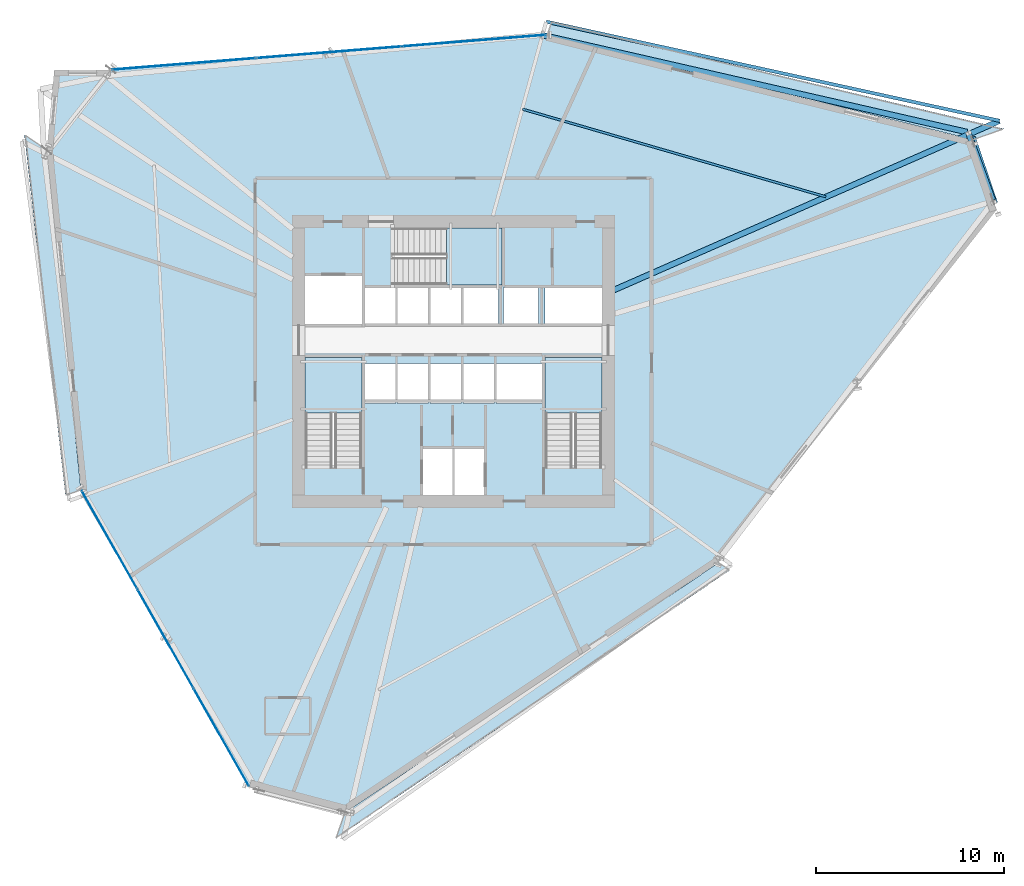
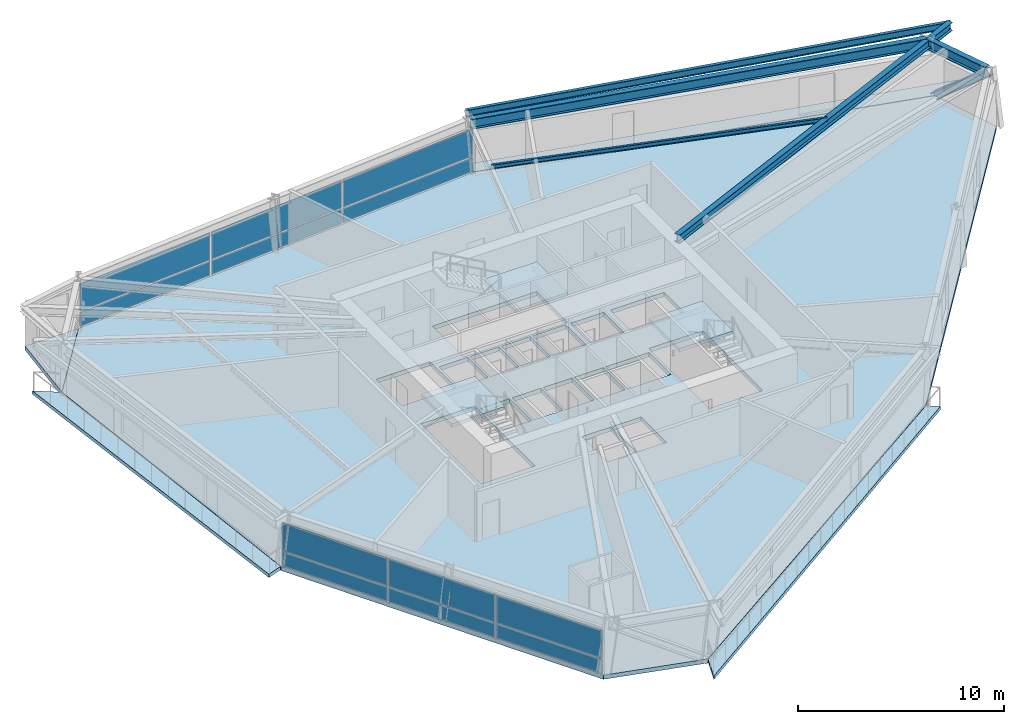
# One storey, part 9 of 18: 12 plates, 8 slabs, 5 beams, 1 member, 5 elements without a shape of their own.
"""IFC4 building model written with IfcOpenShell, lengths in metres."""

from ifc_helpers import new_model, si_unit, direction, frame, origin, origin_2d, place, context, subcontext, project, spatial, polyline, rectangle, i_section, outline, extrude, source, transform, mapped, material, layer, layer_set, material_profile, profile_set, type_object, element, aggregate, save


model = new_model("IFC4")

# Units and contexts
model_context = context("Model", 3, precision=1e-05, world=origin(), true_north=direction((0.0, 1.0)))
body_context = subcontext(model_context, "Body", "Model", "MODEL_VIEW")
ifc_project = project(units=[si_unit("LENGTHUNIT", "METRE"), si_unit("AREAUNIT", "SQUARE_METRE"), si_unit("VOLUMEUNIT", "CUBIC_METRE"), si_unit("PLANEANGLEUNIT", "RADIAN"), si_unit("MASSUNIT", "GRAM", prefix="KILO")], contexts=[model_context])

# Site, building, storey
site_placement = place(None, origin())
site = spatial("IfcSite", under=ifc_project, at=site_placement, CompositionType="ELEMENT")
building_placement = place(site_placement, origin())
building = spatial("IfcBuilding", under=site, at=building_placement, Name="Olszyna Solenne Hotel", CompositionType="ELEMENT")
storey_placement = place(building_placement, frame((0.0, 0.0, 112.800048828125)))
storey = spatial("IfcBuildingStorey", under=building, at=storey_placement, Name="L29", CompositionType="ELEMENT", Elevation=112.800048828125)

# Beams
ifc_material_1 = material(Name="Steel S355J2", Category="steel")
ifc_material_profile_1 = material_profile(ifc_material_1, i_section(OverallWidth=0.300048828125, OverallDepth=0.60009765625, WebThickness=0.015380859375, FlangeThickness=0.030029296875, at=origin_2d()), Name="HEB 600", Category="load-bearing")
ifc_profile_set_1 = profile_set([ifc_material_profile_1], Name="Steel S355J2")
beam_type_1 = type_object("IfcBeamType", Name="BM-S2", PredefinedType="BEAM", material=ifc_profile_set_1)
shared_shape_1 = source(origin(), body_context, "Body", "SweptSolid", [
    extrude(i_section(OverallWidth=0.300048828125, OverallDepth=0.60009765625, WebThickness=0.015380859375, FlangeThickness=0.030029296875, at=origin_2d()), origin(), (0.0, 0.0, 1.0), 3.78369140625),
])
beam_1_placement = place(storey_placement, frame((66.7216796875, 35.185791015625, 3.0), z_axis=(-0.34120420593, 0.93998919667, 0.0), x_axis=(-0.93998919667, -0.34120420593, 0.0)))
element("IfcBeam", 1, at=beam_1_placement, inside=storey, type_object=beam_type_1, Name="Perimeter spandrel beam BM-S2 B-L29-0868", PredefinedType="BEAM", context=body_context, shape_type="MappedRepresentation", body=[
    mapped(shared_shape_1, transform((0.0, 0.0, 0.0), x_axis=(1.0, 0.0, 0.0), y_axis=(0.0, 1.0, 0.0), z_axis=(0.0, 0.0, 1.0), scale=1.0)),
])
shared_shape_2 = source(origin(), body_context, "Body", "SweptSolid", [
    extrude(i_section(OverallWidth=0.300048828125, OverallDepth=0.60009765625, WebThickness=0.015380859375, FlangeThickness=0.030029296875, at=origin_2d()), origin(), (0.0, 0.0, 1.0), 23.171142578125),
])
beam_2_placement = place(storey_placement, frame((65.351806640625, 38.812255859375, 3.0), z_axis=(-0.974906613117, 0.222614230678, 0.0), x_axis=(-0.222614230678, -0.974906613117, 0.0)))
element("IfcBeam", 2, at=beam_2_placement, inside=storey, type_object=beam_type_1, Name="Perimeter spandrel beam BM-S2 B-L29-0869", PredefinedType="BEAM", context=body_context, shape_type="MappedRepresentation", body=[
    mapped(shared_shape_2, transform((0.0, 0.0, 0.0), x_axis=(1.0, 0.0, 0.0), y_axis=(0.0, 1.0, 0.0), z_axis=(0.0, 0.0, 1.0), scale=1.0)),
])
ifc_material_profile_2 = material_profile(ifc_material_1, i_section(OverallWidth=0.300048828125, OverallDepth=0.489990234375, WebThickness=0.011962890625, FlangeThickness=0.02294921875, at=origin_2d()), Name="HEA 500", Category="load-bearing")
ifc_profile_set_2 = profile_set([ifc_material_profile_2], Name="Steel S355J2")
beam_type_2 = type_object("IfcBeamType", Name="BM-G1", PredefinedType="BEAM", material=ifc_profile_set_2)
shared_shape_3 = source(origin(), body_context, "Body", "SweptSolid", [
    extrude(i_section(OverallWidth=0.300048828125, OverallDepth=0.489990234375, WebThickness=0.011962890625, FlangeThickness=0.02294921875, at=origin_2d()), origin(), (0.0, 0.0, 1.0), 22.396484375),
])
beam_3_placement = place(storey_placement, frame((67.06298828125, 39.406494140625, 3.054931640625), z_axis=(-0.915715455752, -0.401827331198, 0.0), x_axis=(0.401827331198, -0.915715455752, 0.0)))
element("IfcBeam", 3, at=beam_3_placement, inside=storey, type_object=beam_type_2, Name="Radial floor girder BM-G1 B-L29-0881", PredefinedType="BEAM", context=body_context, shape_type="MappedRepresentation", body=[
    mapped(shared_shape_3, transform((0.0, 0.0, 0.0), x_axis=(1.0, 0.0, 0.0), y_axis=(0.0, 1.0, 0.0), z_axis=(0.0, 0.0, 1.0), scale=1.0)),
])
ifc_material_profile_3 = material_profile(ifc_material_1, i_section(OverallWidth=0.1201171875, OverallDepth=0.239990234375, WebThickness=0.006103515625, FlangeThickness=0.009765625, at=origin_2d()), Name="IPE 240", Category="load-bearing")
ifc_profile_set_3 = profile_set([ifc_material_profile_3], Name="Steel S355J2")
beam_type_3 = type_object("IfcBeamType", Name="JS-03", PredefinedType="JOIST", material=ifc_profile_set_3)
shared_shape_4 = source(origin(), body_context, "Body", "SweptSolid", [
    extrude(i_section(OverallWidth=0.1201171875, OverallDepth=0.239990234375, WebThickness=0.006103515625, FlangeThickness=0.009765625, at=origin_2d()), origin(), (0.0, 0.0, 1.0), 16.80859375),
])
beam_4_placement = place(storey_placement, frame((57.824951171875, 35.36669921875, 3.179931640625), z_axis=(-0.960672000765, 0.277685626106, 0.0), x_axis=(-0.277685626106, -0.960672000765, 0.0)))
element("IfcBeam", 4, at=beam_4_placement, inside=storey, type_object=beam_type_3, Name="Secondary composite floor joist JS-03 B-L29-0892", PredefinedType="JOIST", context=body_context, shape_type="MappedRepresentation", body=[
    mapped(shared_shape_4, transform((0.0, 0.0, 0.0), x_axis=(1.0, 0.0, 0.0), y_axis=(0.0, 1.0, 0.0), z_axis=(0.0, 0.0, 1.0), scale=1.0)),
])
ifc_material_profile_4 = material_profile(ifc_material_1, i_section(OverallWidth=0.179931640625, OverallDepth=0.39990234375, WebThickness=0.008544921875, FlangeThickness=0.013427734375, at=origin_2d()), Name="IPE 400", Category="load-bearing")
ifc_profile_set_4 = profile_set([ifc_material_profile_4], Name="Steel S355J2")
beam_type_4 = type_object("IfcBeamType", Name="BM-F5", PredefinedType="BEAM", material=ifc_profile_set_4)
shared_shape_5 = source(origin(), body_context, "Body", "SweptSolid", [
    extrude(i_section(OverallWidth=0.179931640625, OverallDepth=0.39990234375, WebThickness=0.008544921875, FlangeThickness=0.013427734375, at=origin_2d()), origin(), (0.0, 0.0, 1.0), 24.716552734375),
])
beam_5_placement = place(storey_placement, frame((67.081298828125, 39.41455078125, 3.099853515625), z_axis=(-0.976924819897, 0.213583464411, 0.0), x_axis=(-0.213583464411, -0.976924819897, 0.0)))
element("IfcBeam", 5, at=beam_5_placement, inside=storey, type_object=beam_type_4, Name="Loggia outer edge beam BM-F5 B-L29-0895", PredefinedType="BEAM", context=body_context, shape_type="MappedRepresentation", body=[
    mapped(shared_shape_5, transform((0.0, 0.0, 0.0), x_axis=(1.0, 0.0, 0.0), y_axis=(0.0, 1.0, 0.0), z_axis=(0.0, 0.0, 1.0), scale=1.0)),
])

# Member
ifc_material_2 = material(Name="Steel S460M", Category="steel")
ifc_material_profile_5 = material_profile(ifc_material_2, i_section(OverallWidth=0.406005859375, OverallDepth=0.416015625, WebThickness=0.026611328125, FlangeThickness=0.04150390625, at=origin_2d()), Name="HD 400x382", Category="load-bearing")
ifc_profile_set_5 = profile_set([ifc_material_profile_5], Name="Steel S460M")
member_type = type_object("IfcMemberType", Name="BR-T2", PredefinedType="BRACE", material=ifc_profile_set_5)
shared_shape_6 = source(origin(), body_context, "Body", "SweptSolid", [
    extrude(i_section(OverallWidth=0.406005859375, OverallDepth=0.416015625, WebThickness=0.026611328125, FlangeThickness=0.04150390625, at=origin_2d()), origin(), (0.0, 0.0, 1.0), 4.548095703125),
])
member_placement = place(storey_placement, frame((65.6337890625, 38.39990234375, 0.010009765625), z_axis=(0.243700378945, -0.719077153379, 0.650798104477), x_axis=(0.947087737347, 0.320974793039, 0.0)))
element("IfcMember", 6, at=member_placement, inside=storey, type_object=member_type, Name="Perimeter braced-tube diagonal BR-T2 BR-L29-1", PredefinedType="BRACE", context=body_context, shape_type="MappedRepresentation", body=[
    mapped(shared_shape_6, transform((0.0, 0.0, 0.0), x_axis=(1.0, 0.0, 0.0), y_axis=(0.0, 1.0, 0.0), z_axis=(0.0, 0.0, 1.0), scale=1.0)),
])

# Stair, slab
ifc_material_3 = material(Name="Concrete C40/50", Category="concrete")
stair_type = type_object("IfcStairType", Name="STR-C1", PredefinedType="TWO_QUARTER_WINDING_STAIR", material=ifc_material_3)
stair_1_placement = place(storey_placement, origin())
stair_1 = element("IfcStair", 7, at=stair_1_placement, inside=storey, type_object=stair_type, Name="L29 ST1", PredefinedType="TWO_QUARTER_WINDING_STAIR")
ifc_layer_1 = layer(ifc_material_3, 0.18994140625, Name="Concrete C40/50")
ifc_layer_set_1 = layer_set([ifc_layer_1], Name="Concrete C40/50")
slab_type_1 = type_object("IfcSlabType", Name="SL-LN190", PredefinedType="LANDING", material=ifc_layer_set_1)
slab_1_placement = place(storey_placement, frame((0.0, 0.0, 1.574951171875)))
slab_1 = element("IfcSlab", 8, at=slab_1_placement, type_object=slab_type_1, Name="ST1 landing 1", PredefinedType="LANDING", context=body_context, shape_type="SweptSolid", body=[
    extrude(outline(polyline([(33.1201171875, 23.85009765625), (33.1201171875, 26.800048828125), (30.10009765625, 26.800048828125), (30.10009765625, 23.85009765625), (33.1201171875, 23.85009765625)])), origin(), (0.0, 0.0, 1.0), 0.199951171875),
])
aggregate(stair_1, [slab_1])

stair_2_placement = place(storey_placement, origin())
stair_2 = element("IfcStair", 9, at=stair_2_placement, inside=storey, type_object=stair_type, Name="L29 ST2", PredefinedType="TWO_QUARTER_WINDING_STAIR")
slab_2_placement = place(storey_placement, frame((0.0, 0.0, 1.574951171875)))
slab_2 = element("IfcSlab", 10, at=slab_2_placement, type_object=slab_type_1, Name="ST2 landing 1", PredefinedType="LANDING", context=body_context, shape_type="SweptSolid", body=[
    extrude(outline(polyline([(45.89990234375, 23.85009765625), (45.89990234375, 26.800048828125), (42.8798828125, 26.800048828125), (42.8798828125, 23.85009765625), (45.89990234375, 23.85009765625)])), origin(), (0.0, 0.0, 1.0), 0.199951171875),
])
aggregate(stair_2, [slab_2])

stair_3_placement = place(storey_placement, origin())
stair_3 = element("IfcStair", 11, at=stair_3_placement, inside=storey, type_object=stair_type, Name="L29 ST3", PredefinedType="TWO_QUARTER_WINDING_STAIR")
slab_3_placement = place(storey_placement, frame((0.0, 0.0, 1.574951171875)))
slab_3 = element("IfcSlab", 12, at=slab_3_placement, type_object=slab_type_1, Name="ST3 landing 1", PredefinedType="LANDING", context=body_context, shape_type="SweptSolid", body=[
    extrude(outline(polyline([(37.6298828125, 30.679931640625), (40.580078125, 30.679931640625), (40.580078125, 33.699951171875), (37.6298828125, 33.699951171875), (37.6298828125, 30.679931640625)])), origin(), (0.0, 0.0, 1.0), 0.199951171875),
])
aggregate(stair_3, [slab_3])

# Slabs
ifc_material_4 = material(Name="Precast concrete C45/55", Category="concrete")
ifc_layer_2 = layer(ifc_material_4, 0.199951171875, Name="Precast concrete C45/55")
ifc_layer_set_2 = layer_set([ifc_layer_2], Name="Precast concrete C45/55")
slab_type_2 = type_object("IfcSlabType", Name="SL-LOG200", PredefinedType="FLOOR", material=ifc_layer_set_2)
slab_4_placement = place(storey_placement, frame((0.0, 0.0, -0.199951171875)))
element("IfcSlab", 13, at=slab_4_placement, inside=storey, type_object=slab_type_2, Name="Exterior loggia balcony slab SL-L29-LG1", PredefinedType="FLOOR", context=body_context, shape_type="SweptSolid", body=[
    extrude(outline(polyline([(42.997314453125, 44.007080078125), (65.637451171875, 38.414306640625), (65.638916015625, 38.413818359375), (65.64013671875, 38.413330078125), (65.6416015625, 38.41259765625), (65.642822265625, 38.411865234375), (65.643798828125, 38.410888671875), (65.64501953125, 38.409912109375), (65.64599609375, 38.40869140625), (65.646728515625, 38.407470703125), (65.6474609375, 38.406005859375), (65.64794921875, 38.40478515625), (67.314453125, 38.989013671875), (43.234619140625, 44.698974609375), (42.997314453125, 44.007080078125)])), origin(), (0.0, 0.0, 1.0), 0.199951171875),
])
slab_5_placement = place(storey_placement, frame((0.0, 0.0, -0.199951171875)))
element("IfcSlab", 14, at=slab_5_placement, inside=storey, type_object=slab_type_2, Name="Exterior loggia balcony slab SL-L29-LG2", PredefinedType="FLOOR", context=body_context, shape_type="SweptSolid", body=[
    extrude(outline(polyline([(18.16064453125, 19.759521484375), (18.160400390625, 19.760009765625), (18.159912109375, 19.761474609375), (18.159912109375, 19.762939453125), (16.3291015625, 37.85205078125), (16.3291015625, 37.853515625), (16.3291015625, 37.85498046875), (16.329833984375, 37.86328125), (15.148193359375, 38.676513671875), (17.33447265625, 19.469970703125), (18.16064453125, 19.759521484375)])), origin(), (0.0, 0.0, 1.0), 0.199951171875),
])
slab_6_placement = place(storey_placement, frame((0.0, 0.0, -0.199951171875)))
element("IfcSlab", 15, at=slab_6_placement, inside=storey, type_object=slab_type_2, Name="Exterior loggia balcony slab SL-L29-LG3", PredefinedType="FLOOR", context=body_context, shape_type="SweptSolid", body=[
    extrude(outline(polyline([(52.123046875, 15.88134765625), (52.122314453125, 15.880615234375), (52.121337890625, 15.87939453125), (52.1201171875, 15.87841796875), (52.118896484375, 15.87744140625), (32.230712890625, 2.587158203125), (32.2294921875, 2.58642578125), (32.228515625, 2.5859375), (32.22705078125, 2.58544921875), (32.2255859375, 2.5849609375), (32.224365234375, 2.584716796875), (32.222900390625, 2.584716796875), (32.221435546875, 2.584716796875), (32.219970703125, 2.5849609375), (32.21875, 2.585205078125), (32.217529296875, 2.58544921875), (31.73779296875, 1.187255859375), (52.70849609375, 15.478271484375), (52.123046875, 15.88134765625)])), origin(), (0.0, 0.0, 1.0), 0.199951171875),
])
ifc_material_5 = material(Name="Concrete C50/60", Category="concrete")
ifc_layer_3 = layer(ifc_material_5, 0.25, Name="Concrete C50/60")
ifc_layer_set_3 = layer_set([ifc_layer_3], Name="Concrete C50/60")
slab_type_3 = type_object("IfcSlabType", Name="SL-TW250", PredefinedType="FLOOR", material=ifc_layer_set_3)
slab_7_placement = place(storey_placement, frame((0.0, 0.0, -0.25)))
element("IfcSlab", 16, at=slab_7_placement, inside=storey, type_object=slab_type_3, Name="Floor slab SL-TW250 SL-L29-01", PredefinedType="FLOOR", context=body_context, shape_type="SweptSolid", body=[
    extrude(outline(polyline([(66.92041015625, 34.673583984375), (65.6337890625, 38.39990234375), (42.992431640625, 43.992919921875), (19.744873046875, 42.12939453125), (16.343994140625, 37.853515625), (18.1748046875, 19.764404296875), (27.13427734375, 3.944091796875), (32.222412109375, 2.599609375), (52.110595703125, 15.889892578125), (66.92041015625, 34.673583984375)]), holes=[polyline([(30.10009765625, 20.949951171875), (33.1201171875, 20.949951171875), (33.1201171875, 26.800048828125), (30.10009765625, 26.800048828125), (30.10009765625, 20.949951171875)]), polyline([(42.8798828125, 20.949951171875), (45.89990234375, 20.949951171875), (45.89990234375, 26.800048828125), (42.8798828125, 26.800048828125), (42.8798828125, 20.949951171875)]), polyline([(34.72998046875, 30.679931640625), (40.580078125, 30.679931640625), (40.580078125, 33.699951171875), (34.72998046875, 33.699951171875), (34.72998046875, 30.679931640625)]), polyline([(36.340087890625, 19.5), (37.9599609375, 19.5), (37.9599609375, 21.9599609375), (36.340087890625, 21.9599609375), (36.340087890625, 19.5)]), polyline([(38.0400390625, 19.5), (39.659912109375, 19.5), (39.659912109375, 21.9599609375), (38.0400390625, 21.9599609375), (38.0400390625, 19.5)]), polyline([(30.10009765625, 28.60009765625), (33.1201171875, 28.60009765625), (33.1201171875, 31.159912109375), (30.10009765625, 31.159912109375), (30.10009765625, 28.60009765625)]), polyline([(33.280029296875, 24.360107421875), (34.89990234375, 24.360107421875), (34.89990234375, 26.5), (33.280029296875, 26.5), (33.280029296875, 24.360107421875)]), polyline([(35.030029296875, 24.360107421875), (36.64990234375, 24.360107421875), (36.64990234375, 26.5), (35.030029296875, 26.5), (35.030029296875, 24.360107421875)]), polyline([(36.780029296875, 24.360107421875), (38.39990234375, 24.360107421875), (38.39990234375, 26.5), (36.780029296875, 26.5), (36.780029296875, 24.360107421875)]), polyline([(38.530029296875, 24.360107421875), (40.14990234375, 24.360107421875), (40.14990234375, 26.5), (38.530029296875, 26.5), (38.530029296875, 24.360107421875)]), polyline([(40.280029296875, 24.360107421875), (42.719970703125, 24.360107421875), (42.719970703125, 26.5), (40.280029296875, 26.5), (40.280029296875, 24.360107421875)]), polyline([(33.280029296875, 28.60009765625), (34.89990234375, 28.60009765625), (34.89990234375, 30.550048828125), (33.280029296875, 30.550048828125), (33.280029296875, 28.60009765625)]), polyline([(35.030029296875, 28.60009765625), (36.64990234375, 28.60009765625), (36.64990234375, 30.550048828125), (35.030029296875, 30.550048828125), (35.030029296875, 28.60009765625)]), polyline([(36.780029296875, 28.60009765625), (38.39990234375, 28.60009765625), (38.39990234375, 30.550048828125), (36.780029296875, 30.550048828125), (36.780029296875, 28.60009765625)]), polyline([(38.530029296875, 28.60009765625), (40.389892578125, 28.60009765625), (40.389892578125, 30.550048828125), (38.530029296875, 30.550048828125), (38.530029296875, 28.60009765625)]), polyline([(40.659912109375, 28.60009765625), (42.52001953125, 28.60009765625), (42.52001953125, 30.550048828125), (40.659912109375, 30.550048828125), (40.659912109375, 28.60009765625)]), polyline([(42.8798828125, 28.60009765625), (45.89990234375, 28.60009765625), (45.89990234375, 30.550048828125), (42.8798828125, 30.550048828125), (42.8798828125, 28.60009765625)])]), origin(), (0.0, 0.0, 1.0), 0.25),
])
slab_8_placement = place(storey_placement, frame((0.0, 0.0, -0.25)))
element("IfcSlab", 17, at=slab_8_placement, inside=storey, type_object=slab_type_3, Name="Faceted glass-prism floor slab SL-L29-PR", PredefinedType="FLOOR", context=body_context, shape_type="SweptSolid", body=[
    extrude(outline(polyline([(16.345703125, 37.87158203125), (19.732177734375, 42.12939453125), (16.744384765625, 42.132080078125), (16.345703125, 37.87158203125)])), origin(), (0.0, 0.0, 1.0), 0.25),
])

# Curtain wall, plates
ifc_material_6 = material(Name="Anodised bronze aluminium", Category="aluminium")
curtain_wall_type = type_object("IfcCurtainWallType", Name="CW-SYS-3", PredefinedType="NOTDEFINED", material=ifc_material_6)
curtain_wall_1_placement = place(storey_placement, origin())
curtain_wall_1 = element("IfcCurtainWall", 18, at=curtain_wall_1_placement, inside=storey, type_object=curtain_wall_type, Name="Unitised curtain wall CW-SYS-3 CW-L29-01", PredefinedType="NOTDEFINED")
ifc_material_7 = material(Name="Terracotta cladding", Category="masonry")
plate_type_1 = type_object("IfcPlateType", Name="PN-SP1", PredefinedType="CURTAIN_PANEL", material=ifc_material_7)
shared_shape_7 = source(origin(), body_context, "Body", "SweptSolid", [
    extrude(rectangle(XDim=5.947998046875, YDim=0.035888671875, at=origin_2d()), origin(), (0.0, 0.0, 1.0), 0.83740234375),
])
plate_1_placement = place(storey_placement, frame((19.67724609375, 17.111328125, 0.074951171875), z_axis=(0.0, 0.0, 1.0), x_axis=(0.492789821295, -0.870148373571, 0.0)))
plate_1 = element("IfcPlate", 19, at=plate_1_placement, type_object=plate_type_1, Name="Curtain-wall panel PN-SP1 CP-L29-01-01", PredefinedType="CURTAIN_PANEL", context=body_context, shape_type="MappedRepresentation", body=[
    mapped(shared_shape_7, transform((0.0, 0.0, 0.0), x_axis=(1.0, 0.0, 0.0), y_axis=(0.0, 1.0, 0.0), z_axis=(0.0, 0.0, 1.0), scale=1.0)),
])
plate_2_placement = place(storey_placement, frame((25.6318359375, 6.59716796875, 0.074951171875), z_axis=(0.0, 0.0, 1.0), x_axis=(0.492789821295, -0.870148373571, 0.0)))
plate_2 = element("IfcPlate", 20, at=plate_2_placement, type_object=plate_type_1, Name="Curtain-wall panel PN-SP1 CP-L29-01-05", PredefinedType="CURTAIN_PANEL", context=body_context, shape_type="MappedRepresentation", body=[
    mapped(shared_shape_7, transform((0.0, 0.0, 0.0), x_axis=(1.0, 0.0, 0.0), y_axis=(0.0, 1.0, 0.0), z_axis=(0.0, 0.0, 1.0), scale=1.0)),
])
ifc_material_8 = material(Name="Low-E triple glazing", Category="glass")
plate_type_2 = type_object("IfcPlateType", Name="PN-GL1", PredefinedType="CURTAIN_PANEL", material=ifc_material_8)
shared_shape_8 = source(origin(), body_context, "Body", "SweptSolid", [
    extrude(rectangle(XDim=5.947998046875, YDim=0.035888671875, at=origin_2d()), origin(), (0.0, 0.0, 1.0), 1.62939453125),
])
plate_3_placement = place(storey_placement, frame((19.67724609375, 17.111328125, 0.987548828125), z_axis=(0.0, 0.0, 1.0), x_axis=(0.492789821295, -0.870148373571, 0.0)))
plate_3 = element("IfcPlate", 21, at=plate_3_placement, type_object=plate_type_2, Name="Curtain-wall panel PN-GL1 CP-L29-01-02", PredefinedType="CURTAIN_PANEL", context=body_context, shape_type="MappedRepresentation", body=[
    mapped(shared_shape_8, transform((0.0, 0.0, 0.0), x_axis=(1.0, 0.0, 0.0), y_axis=(0.0, 1.0, 0.0), z_axis=(0.0, 0.0, 1.0), scale=1.0)),
])
plate_4_placement = place(storey_placement, frame((25.6318359375, 6.59716796875, 0.987548828125), z_axis=(0.0, 0.0, 1.0), x_axis=(0.492789821295, -0.870148373571, 0.0)))
plate_4 = element("IfcPlate", 22, at=plate_4_placement, type_object=plate_type_2, Name="Curtain-wall panel PN-GL1 CP-L29-01-06", PredefinedType="CURTAIN_PANEL", context=body_context, shape_type="MappedRepresentation", body=[
    mapped(shared_shape_8, transform((0.0, 0.0, 0.0), x_axis=(1.0, 0.0, 0.0), y_axis=(0.0, 1.0, 0.0), z_axis=(0.0, 0.0, 1.0), scale=1.0)),
])
shared_shape_9 = source(origin(), body_context, "Body", "SweptSolid", [
    extrude(rectangle(XDim=5.9853515625, YDim=0.035888671875, at=origin_2d()), origin(), (0.0, 0.0, 1.0), 0.83740234375),
])
plate_5_placement = place(storey_placement, frame((22.654541015625, 11.854248046875, 0.074951171875), z_axis=(0.0, 0.0, 1.0), x_axis=(0.492789821295, -0.870148373571, 0.0)))
plate_5 = element("IfcPlate", 23, at=plate_5_placement, type_object=plate_type_1, Name="Curtain-wall panel PN-SP1 CP-L29-01-03", PredefinedType="CURTAIN_PANEL", context=body_context, shape_type="MappedRepresentation", body=[
    mapped(shared_shape_9, transform((0.0, 0.0, 0.0), x_axis=(1.0, 0.0, 0.0), y_axis=(0.0, 1.0, 0.0), z_axis=(0.0, 0.0, 1.0), scale=1.0)),
])
shared_shape_10 = source(origin(), body_context, "Body", "SweptSolid", [
    extrude(rectangle(XDim=5.9853515625, YDim=0.035888671875, at=origin_2d()), origin(), (0.0, 0.0, 1.0), 1.62939453125),
])
plate_6_placement = place(storey_placement, frame((22.654541015625, 11.854248046875, 0.987548828125), z_axis=(0.0, 0.0, 1.0), x_axis=(0.492789821295, -0.870148373571, 0.0)))
plate_6 = element("IfcPlate", 24, at=plate_6_placement, type_object=plate_type_2, Name="Curtain-wall panel PN-GL1 CP-L29-01-04", PredefinedType="CURTAIN_PANEL", context=body_context, shape_type="MappedRepresentation", body=[
    mapped(shared_shape_10, transform((0.0, 0.0, 0.0), x_axis=(1.0, 0.0, 0.0), y_axis=(0.0, 1.0, 0.0), z_axis=(0.0, 0.0, 1.0), scale=1.0)),
])
aggregate(curtain_wall_1, [plate_1, plate_3, plate_5, plate_6, plate_2, plate_4])

curtain_wall_2_placement = place(storey_placement, origin())
curtain_wall_2 = element("IfcCurtainWall", 25, at=curtain_wall_2_placement, inside=storey, type_object=curtain_wall_type, Name="Unitised curtain wall CW-SYS-3 CW-L29-02", PredefinedType="NOTDEFINED")
shared_shape_11 = source(origin(), body_context, "Body", "SweptSolid", [
    extrude(rectangle(XDim=7.66162109375, YDim=0.035888671875, at=origin_2d()), origin(), (0.0, 0.0, 1.0), 0.83740234375),
])
plate_7_placement = place(storey_placement, frame((23.63818359375, 42.44140625, 0.074951171875), z_axis=(0.0, 0.0, 1.0), x_axis=(0.996802654941, 0.079902860411, 0.0)))
plate_7 = element("IfcPlate", 26, at=plate_7_placement, type_object=plate_type_1, Name="Curtain-wall panel PN-SP1 CP-L29-02-01", PredefinedType="CURTAIN_PANEL", context=body_context, shape_type="MappedRepresentation", body=[
    mapped(shared_shape_11, transform((0.0, 0.0, 0.0), x_axis=(1.0, 0.0, 0.0), y_axis=(0.0, 1.0, 0.0), z_axis=(0.0, 0.0, 1.0), scale=1.0)),
])
plate_8_placement = place(storey_placement, frame((39.09912109375, 43.680908203125, 0.074951171875), z_axis=(0.0, 0.0, 1.0), x_axis=(0.996802654941, 0.079902860411, 0.0)))
plate_8 = element("IfcPlate", 27, at=plate_8_placement, type_object=plate_type_1, Name="Curtain-wall panel PN-SP1 CP-L29-02-05", PredefinedType="CURTAIN_PANEL", context=body_context, shape_type="MappedRepresentation", body=[
    mapped(shared_shape_11, transform((0.0, 0.0, 0.0), x_axis=(1.0, 0.0, 0.0), y_axis=(0.0, 1.0, 0.0), z_axis=(0.0, 0.0, 1.0), scale=1.0)),
])
shared_shape_12 = source(origin(), body_context, "Body", "SweptSolid", [
    extrude(rectangle(XDim=7.66162109375, YDim=0.035888671875, at=origin_2d()), origin(), (0.0, 0.0, 1.0), 1.62939453125),
])
plate_9_placement = place(storey_placement, frame((23.63818359375, 42.44140625, 0.987548828125), z_axis=(0.0, 0.0, 1.0), x_axis=(0.996802654941, 0.079902860411, 0.0)))
plate_9 = element("IfcPlate", 28, at=plate_9_placement, type_object=plate_type_2, Name="Curtain-wall panel PN-GL1 CP-L29-02-02", PredefinedType="CURTAIN_PANEL", context=body_context, shape_type="MappedRepresentation", body=[
    mapped(shared_shape_12, transform((0.0, 0.0, 0.0), x_axis=(1.0, 0.0, 0.0), y_axis=(0.0, 1.0, 0.0), z_axis=(0.0, 0.0, 1.0), scale=1.0)),
])
plate_10_placement = place(storey_placement, frame((39.09912109375, 43.680908203125, 0.987548828125), z_axis=(0.0, 0.0, 1.0), x_axis=(0.996802654941, 0.079902860411, 0.0)))
plate_10 = element("IfcPlate", 29, at=plate_10_placement, type_object=plate_type_2, Name="Curtain-wall panel PN-GL1 CP-L29-02-06", PredefinedType="CURTAIN_PANEL", context=body_context, shape_type="MappedRepresentation", body=[
    mapped(shared_shape_12, transform((0.0, 0.0, 0.0), x_axis=(1.0, 0.0, 0.0), y_axis=(0.0, 1.0, 0.0), z_axis=(0.0, 0.0, 1.0), scale=1.0)),
])
shared_shape_13 = source(origin(), body_context, "Body", "SweptSolid", [
    extrude(rectangle(XDim=7.698974609375, YDim=0.035888671875, at=origin_2d()), origin(), (0.0, 0.0, 1.0), 0.83740234375),
])
plate_11_placement = place(storey_placement, frame((31.36865234375, 43.06103515625, 0.074951171875), z_axis=(0.0, 0.0, 1.0), x_axis=(0.996802654941, 0.079902860411, 0.0)))
plate_11 = element("IfcPlate", 30, at=plate_11_placement, type_object=plate_type_1, Name="Curtain-wall panel PN-SP1 CP-L29-02-03", PredefinedType="CURTAIN_PANEL", context=body_context, shape_type="MappedRepresentation", body=[
    mapped(shared_shape_13, transform((0.0, 0.0, 0.0), x_axis=(1.0, 0.0, 0.0), y_axis=(0.0, 1.0, 0.0), z_axis=(0.0, 0.0, 1.0), scale=1.0)),
])
shared_shape_14 = source(origin(), body_context, "Body", "SweptSolid", [
    extrude(rectangle(XDim=7.698974609375, YDim=0.035888671875, at=origin_2d()), origin(), (0.0, 0.0, 1.0), 1.62939453125),
])
plate_12_placement = place(storey_placement, frame((31.36865234375, 43.06103515625, 0.987548828125), z_axis=(0.0, 0.0, 1.0), x_axis=(0.996802654941, 0.079902860411, 0.0)))
plate_12 = element("IfcPlate", 31, at=plate_12_placement, type_object=plate_type_2, Name="Curtain-wall panel PN-GL1 CP-L29-02-04", PredefinedType="CURTAIN_PANEL", context=body_context, shape_type="MappedRepresentation", body=[
    mapped(shared_shape_14, transform((0.0, 0.0, 0.0), x_axis=(1.0, 0.0, 0.0), y_axis=(0.0, 1.0, 0.0), z_axis=(0.0, 0.0, 1.0), scale=1.0)),
])
aggregate(curtain_wall_2, [plate_7, plate_9, plate_11, plate_12, plate_8, plate_10])

save(model, "model.ifc")
